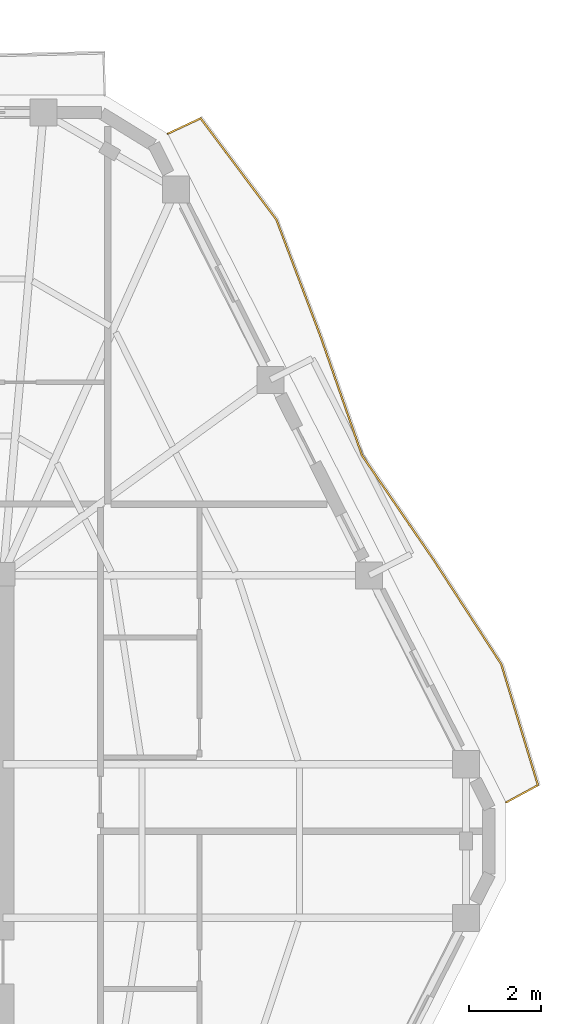
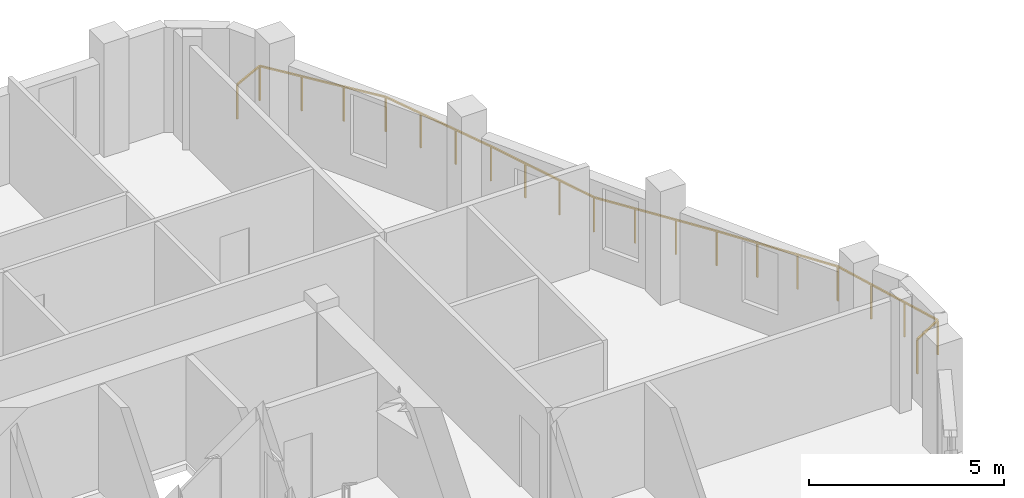
# One storey, part 10 of 10: 1 railing.
"""IFC4 building model written with IfcOpenShell, lengths in metres."""

from ifc_helpers import new_model, si_unit, direction, frame, origin, origin_2d, place, context, subcontext, project, spatial, rectangle, extrude, material, type_object, element, save


model = new_model("IFC4")

# Units and contexts
model_context = context("Model", 3, precision=1e-05, world=origin(), true_north=direction((0.0, 1.0)))
body_context = subcontext(model_context, "Body", "Model", "MODEL_VIEW")
ifc_project = project(units=[si_unit("LENGTHUNIT", "METRE"), si_unit("AREAUNIT", "SQUARE_METRE"), si_unit("VOLUMEUNIT", "CUBIC_METRE"), si_unit("PLANEANGLEUNIT", "RADIAN"), si_unit("MASSUNIT", "GRAM", prefix="KILO")], contexts=[model_context])

# Site, building, storey
site_placement = place(None, origin())
site = spatial("IfcSite", under=ifc_project, at=site_placement, CompositionType="ELEMENT")
building_placement = place(site_placement, origin())
building = spatial("IfcBuilding", under=site, at=building_placement, Name="Cinnabar Lancet Tower", CompositionType="ELEMENT")
storey_placement = place(building_placement, frame((0.0, 0.0, 218.050048828125)))
storey = spatial("IfcBuildingStorey", under=building, at=storey_placement, Name="L58", CompositionType="ELEMENT", Elevation=218.050048828125)

# Railing
ifc_material = material(Name="Laminated safety glass and bronze stainless steel balustrade", Category="steel")
railing_type = type_object("IfcRailingType", Name="ENV-RLG-BAL-1100", PredefinedType="BALUSTRADE", material=ifc_material)
railing_placement = place(storey_placement, frame((55.657958984375, 26.87109375, 0.0)))
element("IfcRailing", 1, at=railing_placement, inside=storey, type_object=railing_type, Name="L58 Face 3 Wave Balcony Balustrade", PredefinedType="BALUSTRADE", context=body_context, shape_type="SweptSolid", body=[
    extrude(rectangle(XDim=0.048095703125, YDim=0.048095703125, at=origin_2d()), frame((0.0, 0.0, 1.076171875), z_axis=(0.879228403445, 0.476400477094, 0.0), x_axis=(-0.476400477094, 0.879228403445, 0.0)), (0.0, 0.0, 1.0), 1.00537109375),
    extrude(rectangle(XDim=0.048095703125, YDim=0.048095703125, at=origin_2d()), frame((0.884033203125, 0.47900390625, 1.076171875), z_axis=(-0.28996489578, 0.95703728204, 0.0), x_axis=(-0.95703728204, -0.28996489578, 0.0)), (0.0, 0.0, 1.0), 3.507568359375),
    extrude(rectangle(XDim=0.048095703125, YDim=0.048095703125, at=origin_2d()), frame((-0.133056640625, 3.8359375, 1.076171875), z_axis=(-0.544010799997, 0.839078214165, 0.0), x_axis=(-0.839078214165, -0.544010799997, 0.0)), (0.0, 0.0, 1.0), 3.4775390625),
    extrude(rectangle(XDim=0.048095703125, YDim=0.048095703125, at=origin_2d()), frame((-2.02490234375, 6.75390625, 1.076171875), z_axis=(-0.565672598784, 0.824629923654, 0.0), x_axis=(-0.824629923654, -0.565672598784, 0.0)), (0.0, 0.0, 1.0), 3.486328125),
    extrude(rectangle(XDim=0.048095703125, YDim=0.048095703125, at=origin_2d()), frame((-3.9970703125, 9.62890625, 1.076171875), z_axis=(-0.329014944287, 0.944324714511, 0.0), x_axis=(-0.944324714511, -0.329014944287, 0.0)), (0.0, 0.0, 1.0), 3.486083984375),
    extrude(rectangle(XDim=0.048095703125, YDim=0.048095703125, at=origin_2d()), frame((-5.14404296875, 12.9208984375, 1.076171875), z_axis=(-0.353523478357, 0.93542565191, 0.0), x_axis=(-0.93542565191, -0.353523478357, 0.0)), (0.0, 0.0, 1.0), 3.4765625),
    extrude(rectangle(XDim=0.048095703125, YDim=0.048095703125, at=origin_2d()), frame((-6.373046875, 16.1728515625, 1.076171875), z_axis=(-0.598909252834, 0.800816899715, 0.0), x_axis=(-0.800816899715, -0.598909252834, 0.0)), (0.0, 0.0, 1.0), 3.511474609375),
    extrude(rectangle(XDim=0.048095703125, YDim=0.048095703125, at=origin_2d()), frame((-8.47607421875, 18.98486328125, 1.076171875), z_axis=(-0.905624848877, -0.42407974851, 0.0), x_axis=(0.42407974851, -0.905624848877, 0.0)), (0.0, 0.0, 1.0), 1.0068359375),
    extrude(rectangle(XDim=0.0419921875, YDim=0.0419921875, at=origin_2d()), origin(), (0.0, 0.0, 1.0), 1.052001953125),
    extrude(rectangle(XDim=0.0419921875, YDim=0.0419921875, at=origin_2d()), frame((0.884033203125, 0.47900390625, 0.0)), (0.0, 0.0, 1.0), 1.052001953125),
    extrude(rectangle(XDim=0.0419921875, YDim=0.0419921875, at=origin_2d()), frame((0.544921875, 1.597900390625, 0.0)), (0.0, 0.0, 1.0), 1.052001953125),
    extrude(rectangle(XDim=0.0419921875, YDim=0.0419921875, at=origin_2d()), frame((0.2060546875, 2.717041015625, 0.0)), (0.0, 0.0, 1.0), 1.052001953125),
    extrude(rectangle(XDim=0.0419921875, YDim=0.0419921875, at=origin_2d()), frame((-0.133056640625, 3.8359375, 0.0)), (0.0, 0.0, 1.0), 1.052001953125),
    extrude(rectangle(XDim=0.0419921875, YDim=0.0419921875, at=origin_2d()), frame((-0.763671875, 4.80859375, 0.0)), (0.0, 0.0, 1.0), 1.052001953125),
    extrude(rectangle(XDim=0.0419921875, YDim=0.0419921875, at=origin_2d()), frame((-1.394287109375, 5.78125, 0.0)), (0.0, 0.0, 1.0), 1.052001953125),
    extrude(rectangle(XDim=0.0419921875, YDim=0.0419921875, at=origin_2d()), frame((-2.02490234375, 6.75390625, 0.0)), (0.0, 0.0, 1.0), 1.052001953125),
    extrude(rectangle(XDim=0.0419921875, YDim=0.0419921875, at=origin_2d()), frame((-2.682373046875, 7.712158203125, 0.0)), (0.0, 0.0, 1.0), 1.052001953125),
    extrude(rectangle(XDim=0.0419921875, YDim=0.0419921875, at=origin_2d()), frame((-3.339599609375, 8.670654296875, 0.0)), (0.0, 0.0, 1.0), 1.052001953125),
    extrude(rectangle(XDim=0.0419921875, YDim=0.0419921875, at=origin_2d()), frame((-3.9970703125, 9.62890625, 0.0)), (0.0, 0.0, 1.0), 1.052001953125),
    extrude(rectangle(XDim=0.0419921875, YDim=0.0419921875, at=origin_2d()), frame((-4.37939453125, 10.726318359375, 0.0)), (0.0, 0.0, 1.0), 1.052001953125),
    extrude(rectangle(XDim=0.0419921875, YDim=0.0419921875, at=origin_2d()), frame((-4.76171875, 11.823486328125, 0.0)), (0.0, 0.0, 1.0), 1.052001953125),
    extrude(rectangle(XDim=0.0419921875, YDim=0.0419921875, at=origin_2d()), frame((-5.14404296875, 12.9208984375, 0.0)), (0.0, 0.0, 1.0), 1.052001953125),
    extrude(rectangle(XDim=0.0419921875, YDim=0.0419921875, at=origin_2d()), frame((-5.5537109375, 14.0048828125, 0.0)), (0.0, 0.0, 1.0), 1.052001953125),
    extrude(rectangle(XDim=0.0419921875, YDim=0.0419921875, at=origin_2d()), frame((-5.96337890625, 15.0888671875, 0.0)), (0.0, 0.0, 1.0), 1.052001953125),
    extrude(rectangle(XDim=0.0419921875, YDim=0.0419921875, at=origin_2d()), frame((-6.373046875, 16.1728515625, 0.0)), (0.0, 0.0, 1.0), 1.052001953125),
    extrude(rectangle(XDim=0.0419921875, YDim=0.0419921875, at=origin_2d()), frame((-7.073974609375, 17.110107421875, 0.0)), (0.0, 0.0, 1.0), 1.052001953125),
    extrude(rectangle(XDim=0.0419921875, YDim=0.0419921875, at=origin_2d()), frame((-7.775146484375, 18.047607421875, 0.0)), (0.0, 0.0, 1.0), 1.052001953125),
    extrude(rectangle(XDim=0.0419921875, YDim=0.0419921875, at=origin_2d()), frame((-8.47607421875, 18.98486328125, 0.0)), (0.0, 0.0, 1.0), 1.052001953125),
    extrude(rectangle(XDim=0.0419921875, YDim=0.0419921875, at=origin_2d()), frame((-9.387939453125, 18.557861328125, 0.0)), (0.0, 0.0, 1.0), 1.052001953125),
])

save(model, "model.ifc")
